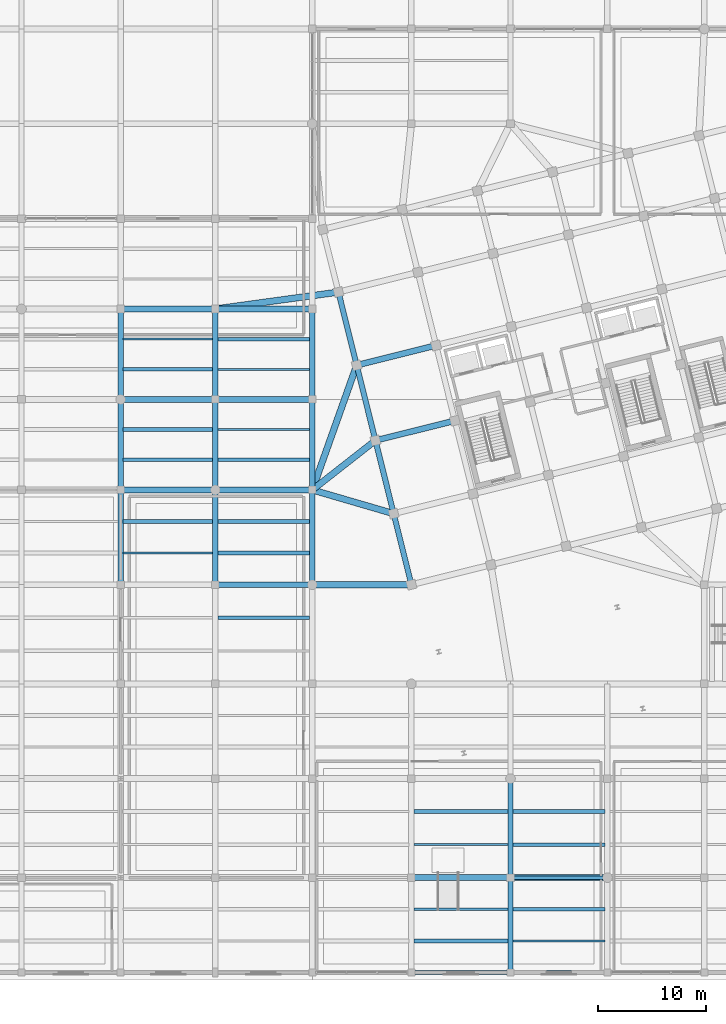
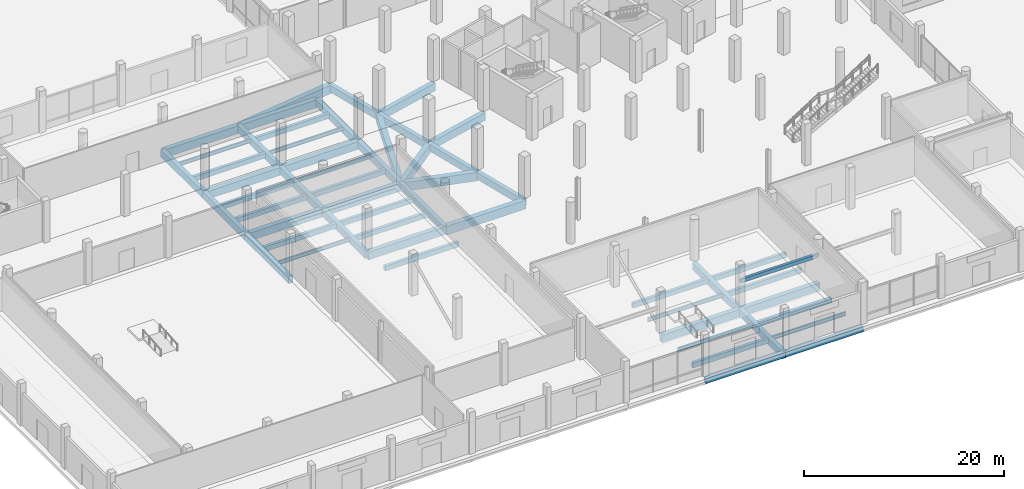
# One storey, part 11 of 73: 55 beams.
"""IFC4 building model written with IfcOpenShell, lengths in metres."""

from ifc_helpers import new_model, si_unit, direction, frame, origin, origin_2d, place, context, subcontext, project, spatial, rectangle, i_section, extrude, material, material_profile, profile_set, type_object, element, save


model = new_model("IFC4")

# Units and contexts
model_context = context("Model", 3, precision=1e-05, world=origin(), true_north=direction((0.0, 1.0)))
body_context = subcontext(model_context, "Body", "Model", "MODEL_VIEW")
ifc_project = project(units=[si_unit("LENGTHUNIT", "METRE"), si_unit("AREAUNIT", "SQUARE_METRE"), si_unit("VOLUMEUNIT", "CUBIC_METRE"), si_unit("PLANEANGLEUNIT", "RADIAN"), si_unit("MASSUNIT", "GRAM", prefix="KILO")], contexts=[model_context])

# Site, building, storey
site_placement = place(None, origin())
site = spatial("IfcSite", under=ifc_project, at=site_placement, CompositionType="ELEMENT")
building_placement = place(site_placement, origin())
building = spatial("IfcBuilding", under=site, at=building_placement, Name="Meriwether Solvik Hall", CompositionType="ELEMENT")
storey_placement = place(building_placement, origin())
storey = spatial("IfcBuildingStorey", under=building, at=storey_placement, Name="L00", CompositionType="ELEMENT", Elevation=0.0)

# Beams
ifc_material_1 = material(Name="Concrete C40/50", Category="concrete")
ifc_material_profile_1 = material_profile(ifc_material_1, rectangle(XDim=0.300048828125, YDim=0.449951171875, at=origin_2d()), Name="RCB-300X450")
ifc_profile_set_1 = profile_set([ifc_material_profile_1], Name="Concrete C40/50")
beam_type_1 = type_object("IfcBeamType", Name="BM-RC-300X450", PredefinedType="LINTEL", material=ifc_profile_set_1)
beam_1_placement = place(storey_placement, frame((77.800048828125, 14.0, 2.925048828125), z_axis=(1.0, 0.0, 0.0), x_axis=(0.0, 1.0, 0.0)))
element("IfcBeam", 1, at=beam_1_placement, inside=storey, type_object=beam_type_1, Name="Galleria Portal Lintel B:9-10 (L00)", PredefinedType="LINTEL", context=body_context, shape_type="SweptSolid", body=[
    extrude(rectangle(XDim=0.300048828125, YDim=0.449951171875, at=origin_2d()), origin(), (0.0, 0.0, 1.0), 9.0),
])
ifc_material_2 = material(Name="Concrete C40/50", Category="concrete")
ifc_material_profile_2 = material_profile(ifc_material_2, rectangle(XDim=0.35009765625, YDim=0.60009765625, at=origin_2d()), Name="RCB-350X600")
ifc_profile_set_2 = profile_set([ifc_material_profile_2], Name="Concrete C40/50")
beam_type_2 = type_object("IfcBeamType", Name="BM-RC-350X600", PredefinedType="JOIST", material=ifc_profile_set_2)
for number, where, z_axis, x_axis, name in (
    (2, (41.844970703125, 47.066650390625, -0.659912109375), (1.0, 0.0, 0.0), (0.0, 1.0, 0.0), "Secondary Floor Joist 5/E_J2 (L00)"),
    (3, (41.844970703125, 52.800048828125, -0.659912109375), (1.0, 0.0, 0.0), (0.0, 1.0, 0.0), "Secondary Floor Joist 5/F_J1 (L00)"),
    (4, (41.844970703125, 55.60009765625, -0.659912109375), (1.0, 0.0, 0.0), (0.0, 1.0, 0.0), "Secondary Floor Joist 5/F_J2 (L00)"),
    (5, (41.844970703125, 61.199951171875, -0.659912109375), (1.0, 0.0, 0.0), (0.0, 1.0, 0.0), "Secondary Floor Joist 5/G_J1 (L00)"),
):
    element("IfcBeam", number, at=place(storey_placement, frame(where, z_axis=z_axis, x_axis=x_axis)), inside=storey, type_object=beam_type_2, Name=name, PredefinedType="JOIST", context=body_context, shape_type="SweptSolid", body=[
        extrude(rectangle(XDim=0.35009765625, YDim=0.60009765625, at=origin_2d()), origin(), (0.0, 0.0, 1.0), 8.31005859375),
    ])
for number, where, z_axis, x_axis, name in (
    (6, (50.64501953125, 38.13330078125, -0.659912109375), (1.0, 0.0, 0.0), (0.0, 1.0, 0.0), "Secondary Floor Joist 6/D_J2 (L00)"),
    (7, (50.64501953125, 44.13330078125, -0.659912109375), (1.0, 0.0, 0.0), (0.0, 1.0, 0.0), "Secondary Floor Joist 6/E_J1 (L00)"),
    (8, (50.64501953125, 47.066650390625, -0.659912109375), (1.0, 0.0, 0.0), (0.0, 1.0, 0.0), "Secondary Floor Joist 6/E_J2 (L00)"),
    (9, (50.64501953125, 52.800048828125, -0.659912109375), (1.0, 0.0, 0.0), (0.0, 1.0, 0.0), "Secondary Floor Joist 6/F_J1 (L00)"),
    (10, (50.64501953125, 64.0, -0.659912109375), (1.0, 0.0, 0.0), (0.0, 1.0, 0.0), "Secondary Floor Joist 6/G_J2 (L00)"),
):
    element("IfcBeam", number, at=place(storey_placement, frame(where, z_axis=z_axis, x_axis=x_axis)), inside=storey, type_object=beam_type_2, Name=name, PredefinedType="JOIST", context=body_context, shape_type="SweptSolid", body=[
        extrude(rectangle(XDim=0.35009765625, YDim=0.60009765625, at=origin_2d()), origin(), (0.0, 0.0, 1.0), 8.510009765625),
    ])
for number, where, z_axis, x_axis, name in (
    (11, (68.844970703125, 8.13330078125, -0.659912109375), (1.0, 0.0, 0.0), (0.0, 1.0, 0.0), "Secondary Floor Joist 8/A_J1 (L00)"),
    (12, (68.844970703125, 20.13330078125, -0.659912109375), (1.0, 0.0, 0.0), (0.0, 1.0, 0.0), "Secondary Floor Joist 8/B_J2 (L00)"),
):
    element("IfcBeam", number, at=place(storey_placement, frame(where, z_axis=z_axis, x_axis=x_axis)), inside=storey, type_object=beam_type_2, Name=name, PredefinedType="JOIST", context=body_context, shape_type="SweptSolid", body=[
        extrude(rectangle(XDim=0.35009765625, YDim=0.60009765625, at=origin_2d()), origin(), (0.0, 0.0, 1.0), 8.7099609375),
    ])
for number, where, z_axis, x_axis, name in (
    (13, (78.044921875, 11.066650390625, -0.659912109375), (1.0, 0.0, 0.0), (0.0, 1.0, 0.0), "Secondary Floor Joist 9/A_J2 (L00)"),
    (14, (78.044921875, 17.066650390625, -0.659912109375), (1.0, 0.0, 0.0), (0.0, 1.0, 0.0), "Secondary Floor Joist 9/B_J1 (L00)"),
    (15, (78.044921875, 20.13330078125, -0.659912109375), (1.0, 0.0, 0.0), (0.0, 1.0, 0.0), "Secondary Floor Joist 9/B_J2 (L00)"),
):
    element("IfcBeam", number, at=place(storey_placement, frame(where, z_axis=z_axis, x_axis=x_axis)), inside=storey, type_object=beam_type_2, Name=name, PredefinedType="JOIST", context=body_context, shape_type="SweptSolid", body=[
        extrude(rectangle(XDim=0.35009765625, YDim=0.60009765625, at=origin_2d()), origin(), (0.0, 0.0, 1.0), 8.510009765625),
    ])
ifc_material_3 = material(Name="Concrete C40/50", Category="concrete")
ifc_material_profile_3 = material_profile(ifc_material_3, rectangle(XDim=0.39990234375, YDim=0.64990234375, at=origin_2d()), Name="RCB-400X650")
ifc_profile_set_3 = profile_set([ifc_material_profile_3], Name="Concrete C40/50")
beam_type_3 = type_object("IfcBeamType", Name="BM-RC-400X650", PredefinedType="SPANDREL", material=ifc_profile_set_3)
beam_2_placement = place(storey_placement, frame((68.60009765625, 5.199951171875, -0.68505859375), z_axis=(1.0, 0.0, 0.0), x_axis=(0.0, 1.0, 0.0)))
element("IfcBeam", 16, at=beam_2_placement, inside=storey, type_object=beam_type_3, Name="Podium Girder A:8-9 (L00)", PredefinedType="SPANDREL", context=body_context, shape_type="SweptSolid", body=[
    extrude(rectangle(XDim=0.39990234375, YDim=0.64990234375, at=origin_2d()), origin(), (0.0, 0.0, 1.0), 9.199951171875),
])
beam_3_placement = place(storey_placement, frame((77.800048828125, 5.199951171875, -0.68505859375), z_axis=(1.0, 0.0, 0.0), x_axis=(0.0, 1.0, 0.0)))
element("IfcBeam", 17, at=beam_3_placement, inside=storey, type_object=beam_type_3, Name="Podium Girder A:9-10 (L00)", PredefinedType="SPANDREL", context=body_context, shape_type="SweptSolid", body=[
    extrude(rectangle(XDim=0.39990234375, YDim=0.64990234375, at=origin_2d()), origin(), (0.0, 0.0, 1.0), 9.0),
])
ifc_material_4 = material(Name="Concrete C40/50", Category="concrete")
ifc_material_profile_4 = material_profile(ifc_material_4, rectangle(XDim=0.5, YDim=0.85009765625, at=origin_2d()), Name="RCB-500X850")
ifc_profile_set_4 = profile_set([ifc_material_profile_4], Name="Concrete C40/50")
beam_type_4 = type_object("IfcBeamType", Name="BM-RC-500X850", PredefinedType="BEAM", material=ifc_profile_set_4)
beam_4_placement = place(storey_placement, frame((41.60009765625, 41.199951171875, -0.784912109375), z_axis=(0.0, 1.0, 0.0), x_axis=(-1.0, 0.0, 0.0)))
element("IfcBeam", 18, at=beam_4_placement, inside=storey, type_object=beam_type_4, Name="Podium Girder 5:E-F (L00)", PredefinedType="BEAM", context=body_context, shape_type="SweptSolid", body=[
    extrude(rectangle(XDim=0.5, YDim=0.85009765625, at=origin_2d()), origin(), (0.0, 0.0, 1.0), 8.800048828125),
])
beam_5_placement = place(storey_placement, frame((41.60009765625, 50.0, -0.784912109375), z_axis=(0.0, 1.0, 0.0), x_axis=(-1.0, 0.0, 0.0)))
element("IfcBeam", 19, at=beam_5_placement, inside=storey, type_object=beam_type_4, Name="Podium Girder 5:F-G (L00)", PredefinedType="BEAM", context=body_context, shape_type="SweptSolid", body=[
    extrude(rectangle(XDim=0.5, YDim=0.85009765625, at=origin_2d()), origin(), (0.0, 0.0, 1.0), 8.39990234375),
])
beam_6_placement = place(storey_placement, frame((41.60009765625, 58.39990234375, -0.784912109375), z_axis=(0.0, 1.0, 0.0), x_axis=(-1.0, 0.0, 0.0)))
element("IfcBeam", 20, at=beam_6_placement, inside=storey, type_object=beam_type_4, Name="Podium Girder 5:G-H (L00)", PredefinedType="BEAM", context=body_context, shape_type="SweptSolid", body=[
    extrude(rectangle(XDim=0.5, YDim=0.85009765625, at=origin_2d()), origin(), (0.0, 0.0, 1.0), 8.400146484375),
])
beam_7_placement = place(storey_placement, frame((50.39990234375, 41.199951171875, -0.784912109375), z_axis=(0.0, 1.0, 0.0), x_axis=(-1.0, 0.0, 0.0)))
element("IfcBeam", 21, at=beam_7_placement, inside=storey, type_object=beam_type_4, Name="Podium Girder 6:E-F (L00)", PredefinedType="BEAM", context=body_context, shape_type="SweptSolid", body=[
    extrude(rectangle(XDim=0.5, YDim=0.85009765625, at=origin_2d()), origin(), (0.0, 0.0, 1.0), 8.800048828125),
])
beam_8_placement = place(storey_placement, frame((50.39990234375, 50.0, -0.784912109375), z_axis=(0.0, 1.0, 0.0), x_axis=(-1.0, 0.0, 0.0)))
element("IfcBeam", 22, at=beam_8_placement, inside=storey, type_object=beam_type_4, Name="Podium Girder 6:F-G (L00)", PredefinedType="BEAM", context=body_context, shape_type="SweptSolid", body=[
    extrude(rectangle(XDim=0.5, YDim=0.85009765625, at=origin_2d()), origin(), (0.0, 0.0, 1.0), 8.39990234375),
])
beam_9_placement = place(storey_placement, frame((50.39990234375, 58.39990234375, -0.784912109375), z_axis=(0.0, 1.0, 0.0), x_axis=(-1.0, 0.0, 0.0)))
element("IfcBeam", 23, at=beam_9_placement, inside=storey, type_object=beam_type_4, Name="Podium Girder 6:G-H (L00)", PredefinedType="BEAM", context=body_context, shape_type="SweptSolid", body=[
    extrude(rectangle(XDim=0.5, YDim=0.85009765625, at=origin_2d()), origin(), (0.0, 0.0, 1.0), 8.400146484375),
])
beam_10_placement = place(storey_placement, frame((59.39990234375, 41.199951171875, -0.784912109375), z_axis=(0.0, 1.0, 0.0), x_axis=(-1.0, 0.0, 0.0)))
element("IfcBeam", 24, at=beam_10_placement, inside=storey, type_object=beam_type_4, Name="Podium Girder 7:E-F (L00)", PredefinedType="BEAM", context=body_context, shape_type="SweptSolid", body=[
    extrude(rectangle(XDim=0.5, YDim=0.85009765625, at=origin_2d()), origin(), (0.0, 0.0, 1.0), 8.800048828125),
])
beam_11_placement = place(storey_placement, frame((59.39990234375, 50.0, -0.784912109375), z_axis=(0.0, 1.0, 0.0), x_axis=(-1.0, 0.0, 0.0)))
element("IfcBeam", 25, at=beam_11_placement, inside=storey, type_object=beam_type_4, Name="Podium Girder 7:F-G (L00)", PredefinedType="BEAM", context=body_context, shape_type="SweptSolid", body=[
    extrude(rectangle(XDim=0.5, YDim=0.85009765625, at=origin_2d()), origin(), (0.0, 0.0, 1.0), 8.39990234375),
])
beam_12_placement = place(storey_placement, frame((59.39990234375, 58.39990234375, -0.784912109375), z_axis=(0.0, 1.0, 0.0), x_axis=(-1.0, 0.0, 0.0)))
element("IfcBeam", 26, at=beam_12_placement, inside=storey, type_object=beam_type_4, Name="Podium Girder 7:G-H (L00)", PredefinedType="BEAM", context=body_context, shape_type="SweptSolid", body=[
    extrude(rectangle(XDim=0.5, YDim=0.85009765625, at=origin_2d()), origin(), (0.0, 0.0, 1.0), 8.400146484375),
])
beam_13_placement = place(storey_placement, frame((77.800048828125, 5.199951171875, -0.784912109375), z_axis=(0.0, 1.0, 0.0), x_axis=(-1.0, 0.0, 0.0)))
element("IfcBeam", 27, at=beam_13_placement, inside=storey, type_object=beam_type_4, Name="Podium Girder 9:A-B (L00)", PredefinedType="BEAM", context=body_context, shape_type="SweptSolid", body=[
    extrude(rectangle(XDim=0.5, YDim=0.85009765625, at=origin_2d()), origin(), (0.0, 0.0, 1.0), 8.800048828125),
])
beam_14_placement = place(storey_placement, frame((77.800048828125, 14.0, -0.784912109375), z_axis=(0.0, 1.0, 0.0), x_axis=(-1.0, 0.0, 0.0)))
element("IfcBeam", 28, at=beam_14_placement, inside=storey, type_object=beam_type_4, Name="Podium Girder 9:B-C (L00)", PredefinedType="BEAM", context=body_context, shape_type="SweptSolid", body=[
    extrude(rectangle(XDim=0.5, YDim=0.85009765625, at=origin_2d()), origin(), (0.0, 0.0, 1.0), 9.199951171875),
])
beam_15_placement = place(storey_placement, frame((68.60009765625, 41.199951171875, -0.784912109375), z_axis=(-0.241944251278, 0.970290152106, 0.0), x_axis=(-0.970290152106, -0.241944251278, 0.0)))
element("IfcBeam", 29, at=beam_15_placement, inside=storey, type_object=beam_type_4, Name="Tower Girder T1:TA-TB (L00)", PredefinedType="BEAM", context=body_context, shape_type="SweptSolid", body=[
    extrude(rectangle(XDim=0.5, YDim=0.85009765625, at=origin_2d()), origin(), (0.0, 0.0, 1.0), 6.80029296875),
])
beam_16_placement = place(storey_placement, frame((66.954833984375, 47.798095703125, -0.784912109375), z_axis=(-0.241911879182, 0.970298223594, 0.0), x_axis=(-0.970298223594, -0.241911879182, 0.0)))
element("IfcBeam", 30, at=beam_16_placement, inside=storey, type_object=beam_type_4, Name="Tower Girder T1:TB-TC (L00)", PredefinedType="BEAM", context=body_context, shape_type="SweptSolid", body=[
    extrude(rectangle(XDim=0.5, YDim=0.85009765625, at=origin_2d()), origin(), (0.0, 0.0, 1.0), 7.0),
])
beam_17_placement = place(storey_placement, frame((65.261474609375, 54.590087890625, -0.784912109375), z_axis=(-0.241937193493, 0.970291911955, 0.0), x_axis=(-0.970291911955, -0.241937193493, 0.0)))
element("IfcBeam", 31, at=beam_17_placement, inside=storey, type_object=beam_type_4, Name="Tower Girder T1:TC-TD (L00)", PredefinedType="BEAM", context=body_context, shape_type="SweptSolid", body=[
    extrude(rectangle(XDim=0.5, YDim=0.85009765625, at=origin_2d()), origin(), (0.0, 0.0, 1.0), 7.199951171875),
])
beam_18_placement = place(storey_placement, frame((63.51953125, 61.576171875, -0.784912109375), z_axis=(-0.241911879182, 0.970298223594, 0.0), x_axis=(-0.970298223594, -0.241911879182, 0.0)))
element("IfcBeam", 32, at=beam_18_placement, inside=storey, type_object=beam_type_4, Name="Tower Girder T1:TD-TE (L00)", PredefinedType="BEAM", context=body_context, shape_type="SweptSolid", body=[
    extrude(rectangle(XDim=0.5, YDim=0.85009765625, at=origin_2d()), origin(), (0.0, 0.0, 1.0), 7.0),
])
ifc_material_5 = material(Name="Concrete C40/50", Category="concrete")
ifc_material_profile_5 = material_profile(ifc_material_5, rectangle(XDim=0.550048828125, YDim=0.949951171875, at=origin_2d()), Name="RCB-550X950")
ifc_profile_set_5 = profile_set([ifc_material_profile_5], Name="Concrete C40/50")
beam_type_5 = type_object("IfcBeamType", Name="BM-RC-550X950", PredefinedType="BEAM", material=ifc_profile_set_5)
beam_19_placement = place(storey_placement, frame((68.60009765625, 14.0, -0.8349609375), z_axis=(1.0, 0.0, 0.0), x_axis=(0.0, 1.0, 0.0)))
element("IfcBeam", 33, at=beam_19_placement, inside=storey, type_object=beam_type_5, Name="Podium Girder B:8-9 (L00)", PredefinedType="BEAM", context=body_context, shape_type="SweptSolid", body=[
    extrude(rectangle(XDim=0.550048828125, YDim=0.949951171875, at=origin_2d()), origin(), (0.0, 0.0, 1.0), 9.199951171875),
])
for number, where, z_axis, x_axis, name in (
    (34, (77.800048828125, 14.0, -0.8349609375), (1.0, 0.0, 0.0), (0.0, 1.0, 0.0), "Podium Girder B:9-10 (L00)"),
    (35, (50.39990234375, 41.199951171875, -0.8349609375), (1.0, 0.0, 0.0), (0.0, 1.0, 0.0), "Podium Girder E:6-7 (L00)"),
):
    element("IfcBeam", number, at=place(storey_placement, frame(where, z_axis=z_axis, x_axis=x_axis)), inside=storey, type_object=beam_type_5, Name=name, PredefinedType="BEAM", context=body_context, shape_type="SweptSolid", body=[
        extrude(rectangle(XDim=0.550048828125, YDim=0.949951171875, at=origin_2d()), origin(), (0.0, 0.0, 1.0), 9.0),
    ])
beam_20_placement = place(storey_placement, frame((41.60009765625, 50.0, -0.8349609375), z_axis=(1.0, 0.0, 0.0), x_axis=(0.0, 1.0, 0.0)))
element("IfcBeam", 36, at=beam_20_placement, inside=storey, type_object=beam_type_5, Name="Podium Girder F:5-6 (L00)", PredefinedType="BEAM", context=body_context, shape_type="SweptSolid", body=[
    extrude(rectangle(XDim=0.550048828125, YDim=0.949951171875, at=origin_2d()), origin(), (0.0, 0.0, 1.0), 8.7998046875),
])
beam_21_placement = place(storey_placement, frame((50.39990234375, 50.0, -0.8349609375), z_axis=(1.0, 0.0, 0.0), x_axis=(0.0, 1.0, 0.0)))
element("IfcBeam", 37, at=beam_21_placement, inside=storey, type_object=beam_type_5, Name="Podium Girder F:6-7 (L00)", PredefinedType="BEAM", context=body_context, shape_type="SweptSolid", body=[
    extrude(rectangle(XDim=0.550048828125, YDim=0.949951171875, at=origin_2d()), origin(), (0.0, 0.0, 1.0), 9.0),
])
beam_22_placement = place(storey_placement, frame((41.60009765625, 58.39990234375, -0.8349609375), z_axis=(1.0, 0.0, 0.0), x_axis=(0.0, 1.0, 0.0)))
element("IfcBeam", 38, at=beam_22_placement, inside=storey, type_object=beam_type_5, Name="Podium Girder G:5-6 (L00)", PredefinedType="BEAM", context=body_context, shape_type="SweptSolid", body=[
    extrude(rectangle(XDim=0.550048828125, YDim=0.949951171875, at=origin_2d()), origin(), (0.0, 0.0, 1.0), 8.7998046875),
])
beam_23_placement = place(storey_placement, frame((50.39990234375, 58.39990234375, -0.8349609375), z_axis=(1.0, 0.0, 0.0), x_axis=(0.0, 1.0, 0.0)))
element("IfcBeam", 39, at=beam_23_placement, inside=storey, type_object=beam_type_5, Name="Podium Girder G:6-7 (L00)", PredefinedType="BEAM", context=body_context, shape_type="SweptSolid", body=[
    extrude(rectangle(XDim=0.550048828125, YDim=0.949951171875, at=origin_2d()), origin(), (0.0, 0.0, 1.0), 9.0),
])
beam_24_placement = place(storey_placement, frame((41.60009765625, 66.800048828125, -0.8349609375), z_axis=(1.0, 0.0, 0.0), x_axis=(0.0, 1.0, 0.0)))
element("IfcBeam", 40, at=beam_24_placement, inside=storey, type_object=beam_type_5, Name="Podium Girder H:5-6 (L00)", PredefinedType="BEAM", context=body_context, shape_type="SweptSolid", body=[
    extrude(rectangle(XDim=0.550048828125, YDim=0.949951171875, at=origin_2d()), origin(), (0.0, 0.0, 1.0), 8.7998046875),
])
beam_25_placement = place(storey_placement, frame((50.39990234375, 66.800048828125, -0.8349609375), z_axis=(1.0, 0.0, 0.0), x_axis=(0.0, 1.0, 0.0)))
element("IfcBeam", 41, at=beam_25_placement, inside=storey, type_object=beam_type_5, Name="Podium Girder H:6-7 (L00)", PredefinedType="BEAM", context=body_context, shape_type="SweptSolid", body=[
    extrude(rectangle(XDim=0.550048828125, YDim=0.949951171875, at=origin_2d()), origin(), (0.0, 0.0, 1.0), 9.0),
])
for number, where, z_axis, x_axis, name in (
    (42, (65.261474609375, 54.590087890625, -0.8349609375), (0.970295366785, 0.241923337436, 0.0), (-0.241923337436, 0.970295366785, 0.0), "Tower Girder TC:T1-T2 (L00)"),
    (43, (63.51953125, 61.576171875, -0.8349609375), (0.970295366785, 0.241923337436, 0.0), (-0.241923337436, 0.970295366785, 0.0), "Tower Girder TD:T1-T2 (L00)"),
):
    element("IfcBeam", number, at=place(storey_placement, frame(where, z_axis=z_axis, x_axis=x_axis)), inside=storey, type_object=beam_type_5, Name=name, PredefinedType="BEAM", context=body_context, shape_type="SweptSolid", body=[
        extrude(rectangle(XDim=0.550048828125, YDim=0.949951171875, at=origin_2d()), origin(), (0.0, 0.0, 1.0), 7.60009765625),
    ])
ifc_material_6 = material(Name="Concrete C40/50", Category="concrete")
ifc_material_profile_6 = material_profile(ifc_material_6, rectangle(XDim=0.60009765625, YDim=1.050048828125, at=origin_2d()), Name="RCB-600X1050")
ifc_profile_set_6 = profile_set([ifc_material_profile_6], Name="Concrete C40/50")
beam_type_6 = type_object("IfcBeamType", Name="BM-RC-600X1050", PredefinedType="BEAM", material=ifc_profile_set_6)
beam_26_placement = place(storey_placement, frame((68.60009765625, 41.199951171875, -0.885009765625), z_axis=(-1.0, 0.0, 0.0), x_axis=(0.0, -1.0, 0.0)))
element("IfcBeam", 44, at=beam_26_placement, inside=storey, type_object=beam_type_6, Name="Diaphragm Collector Girder T1/TA-7/E (L00)", PredefinedType="BEAM", context=body_context, shape_type="SweptSolid", body=[
    extrude(rectangle(XDim=0.60009765625, YDim=1.050048828125, at=origin_2d()), origin(), (0.0, 0.0, 1.0), 9.2001953125),
])
beam_27_placement = place(storey_placement, frame((66.954833984375, 47.798095703125, -0.885009765625), z_axis=(-0.960055229861, 0.279810570952, 0.0), x_axis=(-0.279810570952, -0.960055229861, 0.0)))
element("IfcBeam", 45, at=beam_27_placement, inside=storey, type_object=beam_type_6, Name="Diaphragm Collector Girder T1/TB-7/F (L00)", PredefinedType="BEAM", context=body_context, shape_type="SweptSolid", body=[
    extrude(rectangle(XDim=0.60009765625, YDim=1.050048828125, at=origin_2d()), origin(), (0.0, 0.0, 1.0), 7.869384765625),
])
beam_28_placement = place(storey_placement, frame((65.261474609375, 54.590087890625, -0.885009765625), z_axis=(-0.787324356442, -0.616539015597, 0.0), x_axis=(0.616539015597, -0.787324356442, 0.0)))
element("IfcBeam", 46, at=beam_28_placement, inside=storey, type_object=beam_type_6, Name="Diaphragm Collector Girder T1/TC-7/F (L00)", PredefinedType="BEAM", context=body_context, shape_type="SweptSolid", body=[
    extrude(rectangle(XDim=0.60009765625, YDim=1.050048828125, at=origin_2d()), origin(), (0.0, 0.0, 1.0), 7.44482421875),
])
beam_29_placement = place(storey_placement, frame((63.51953125, 61.576171875, -0.885009765625), z_axis=(-0.335273852022, -0.942120716337, 0.0), x_axis=(0.942120716337, -0.335273852022, 0.0)))
element("IfcBeam", 47, at=beam_29_placement, inside=storey, type_object=beam_type_6, Name="Diaphragm Collector Girder T1/TD-7/F (L00)", PredefinedType="BEAM", context=body_context, shape_type="SweptSolid", body=[
    extrude(rectangle(XDim=0.60009765625, YDim=1.050048828125, at=origin_2d()), origin(), (0.0, 0.0, 1.0), 12.287353515625),
])
beam_30_placement = place(storey_placement, frame((61.826171875, 68.3681640625, -0.885009765625), z_axis=(-0.990713872019, -0.135963317806, 0.0), x_axis=(0.135963317806, -0.990713872019, 0.0)))
element("IfcBeam", 48, at=beam_30_placement, inside=storey, type_object=beam_type_6, Name="Diaphragm Collector Girder T1/TE-6/H (L00)", PredefinedType="BEAM", context=body_context, shape_type="SweptSolid", body=[
    extrude(rectangle(XDim=0.60009765625, YDim=1.050048828125, at=origin_2d()), origin(), (0.0, 0.0, 1.0), 11.533447265625),
])
ifc_material_7 = material(Name="Steel A992 Grade 50", Category="steel")
ifc_material_profile_7 = material_profile(ifc_material_7, i_section(OverallWidth=0.19091796875, OverallDepth=0.45703125, WebThickness=0.009033203125, FlangeThickness=0.014404296875, at=origin_2d()), Name="W18X50")
ifc_profile_set_7 = profile_set([ifc_material_profile_7], Name="Steel A992 Grade 50")
beam_type_7 = type_object("IfcBeamType", Name="BM-STL-W18X50", PredefinedType="JOIST", material=ifc_profile_set_7)
for number, where, z_axis, x_axis, name in (
    (49, (41.844970703125, 44.13330078125, -0.58837890625), (1.0, 0.0, 0.0), (0.0, 1.0, 0.0), "Secondary Floor Joist 5/E_J1 (L00)"),
    (50, (41.844970703125, 64.0, -0.58837890625), (1.0, 0.0, 0.0), (0.0, 1.0, 0.0), "Secondary Floor Joist 5/G_J2 (L00)"),
):
    element("IfcBeam", number, at=place(storey_placement, frame(where, z_axis=z_axis, x_axis=x_axis)), inside=storey, type_object=beam_type_7, Name=name, PredefinedType="JOIST", context=body_context, shape_type="SweptSolid", body=[
        extrude(i_section(OverallWidth=0.19091796875, OverallDepth=0.45703125, WebThickness=0.009033203125, FlangeThickness=0.014404296875, at=origin_2d()), origin(), (0.0, 0.0, 1.0), 8.31005859375),
    ])
for number, where, z_axis, x_axis, name in (
    (51, (50.64501953125, 55.60009765625, -0.58837890625), (1.0, 0.0, 0.0), (0.0, 1.0, 0.0), "Secondary Floor Joist 6/F_J2 (L00)"),
    (52, (50.64501953125, 61.199951171875, -0.58837890625), (1.0, 0.0, 0.0), (0.0, 1.0, 0.0), "Secondary Floor Joist 6/G_J1 (L00)"),
):
    element("IfcBeam", number, at=place(storey_placement, frame(where, z_axis=z_axis, x_axis=x_axis)), inside=storey, type_object=beam_type_7, Name=name, PredefinedType="JOIST", context=body_context, shape_type="SweptSolid", body=[
        extrude(i_section(OverallWidth=0.19091796875, OverallDepth=0.45703125, WebThickness=0.009033203125, FlangeThickness=0.014404296875, at=origin_2d()), origin(), (0.0, 0.0, 1.0), 8.510009765625),
    ])
for number, where, z_axis, x_axis, name in (
    (53, (68.844970703125, 11.066650390625, -0.58837890625), (1.0, 0.0, 0.0), (0.0, 1.0, 0.0), "Secondary Floor Joist 8/A_J2 (L00)"),
    (54, (68.844970703125, 17.066650390625, -0.58837890625), (1.0, 0.0, 0.0), (0.0, 1.0, 0.0), "Secondary Floor Joist 8/B_J1 (L00)"),
):
    element("IfcBeam", number, at=place(storey_placement, frame(where, z_axis=z_axis, x_axis=x_axis)), inside=storey, type_object=beam_type_7, Name=name, PredefinedType="JOIST", context=body_context, shape_type="SweptSolid", body=[
        extrude(i_section(OverallWidth=0.19091796875, OverallDepth=0.45703125, WebThickness=0.009033203125, FlangeThickness=0.014404296875, at=origin_2d()), origin(), (0.0, 0.0, 1.0), 8.7099609375),
    ])
beam_31_placement = place(storey_placement, frame((78.044921875, 8.13330078125, -0.58837890625), z_axis=(1.0, 0.0, 0.0), x_axis=(0.0, 1.0, 0.0)))
element("IfcBeam", 55, at=beam_31_placement, inside=storey, type_object=beam_type_7, Name="Secondary Floor Joist 9/A_J1 (L00)", PredefinedType="JOIST", context=body_context, shape_type="SweptSolid", body=[
    extrude(i_section(OverallWidth=0.19091796875, OverallDepth=0.45703125, WebThickness=0.009033203125, FlangeThickness=0.014404296875, at=origin_2d()), origin(), (0.0, 0.0, 1.0), 8.510009765625),
])

save(model, "model.ifc")
